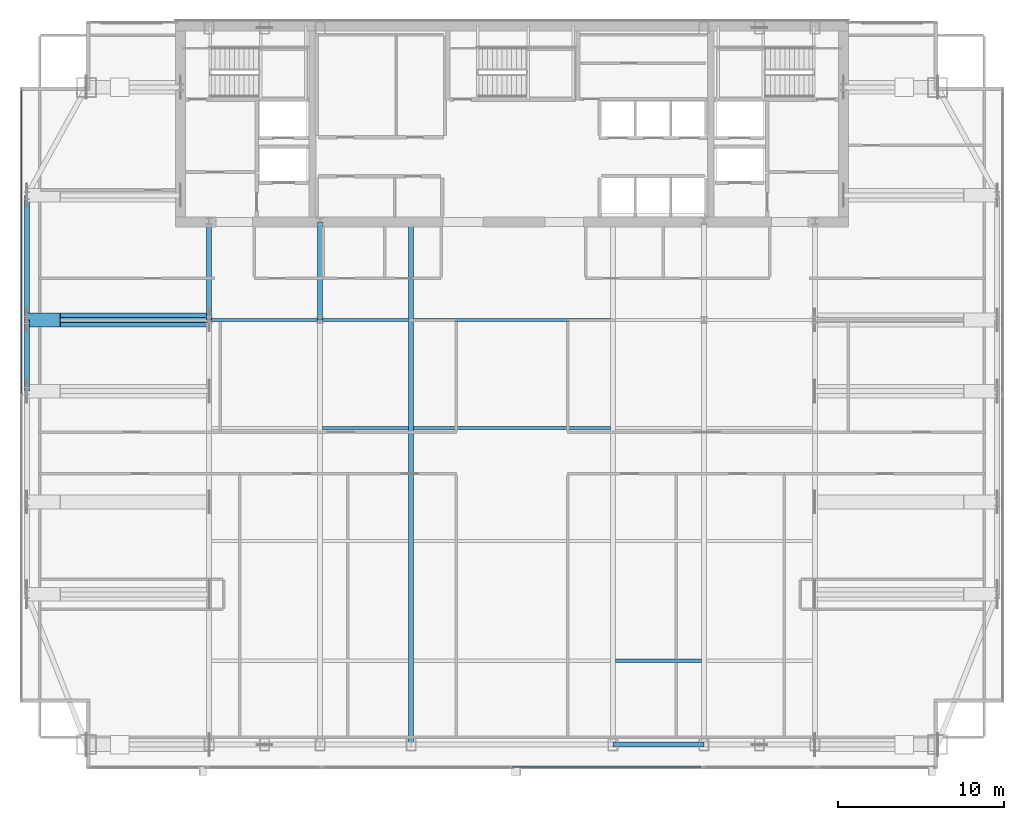
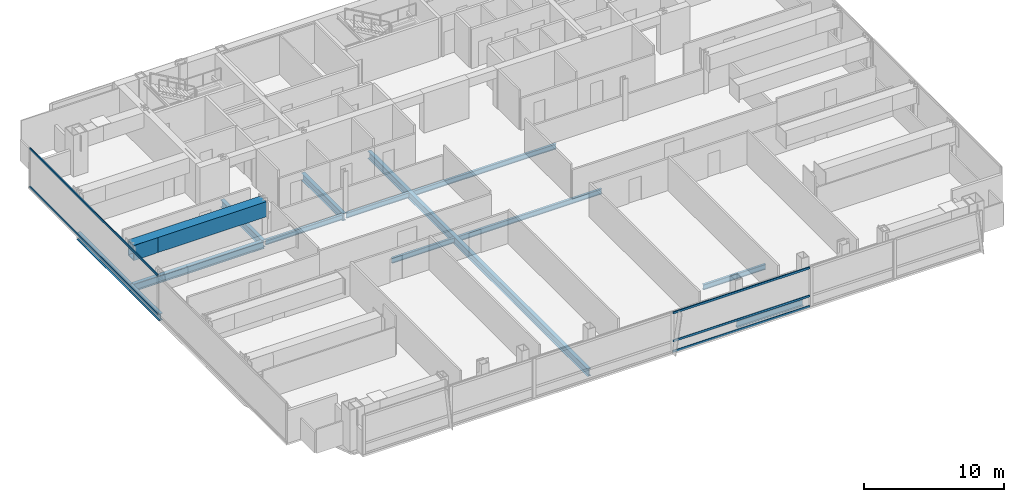
# One storey, part 10 of 26: 15 beams, 5 members, 2 elements without a shape of their own.
"""IFC4 building model written with IfcOpenShell, lengths in metres."""

from ifc_helpers import new_model, si_unit, direction, frame, origin, origin_2d, place, context, subcontext, project, spatial, hollow_rectangle, i_section, extrude, material, material_profile, profile_set, type_object, element, aggregate, save


model = new_model("IFC4")

# Units and contexts
model_context = context("Model", 3, precision=1e-05, world=origin(), true_north=direction((0.0, 1.0)))
body_context = subcontext(model_context, "Body", "Model", "MODEL_VIEW")
ifc_project = project(units=[si_unit("LENGTHUNIT", "METRE"), si_unit("AREAUNIT", "SQUARE_METRE"), si_unit("VOLUMEUNIT", "CUBIC_METRE"), si_unit("PLANEANGLEUNIT", "RADIAN"), si_unit("MASSUNIT", "GRAM", prefix="KILO")], contexts=[model_context])

# Site, building, storey
site_placement = place(None, origin())
site = spatial("IfcSite", under=ifc_project, at=site_placement, CompositionType="ELEMENT")
building_placement = place(site_placement, origin())
building = spatial("IfcBuilding", under=site, at=building_placement, Name="Khoronbel Lancet Exchange", CompositionType="ELEMENT")
storey_placement = place(building_placement, frame((0.0, 0.0, 235.39990234375)))
storey = spatial("IfcBuildingStorey", under=building, at=storey_placement, Name="L60", CompositionType="ELEMENT", Elevation=235.39990234375)

# Beams
ifc_material_1 = material(Name="Steel S355", Category="steel")
ifc_material_profile_1 = material_profile(ifc_material_1, i_section(OverallWidth=0.300048828125, OverallDepth=0.64990234375, WebThickness=0.01611328125, FlangeThickness=0.031005859375, at=origin_2d()), Name="HEB 650")
ifc_profile_set_1 = profile_set([ifc_material_profile_1], Name="Steel S355")
beam_type_1 = type_object("IfcBeamType", Name="BM-BG4", PredefinedType="BEAM", material=ifc_profile_set_1)
for number, where, z_axis, x_axis, name in (
    (1, (18.22509765625, 35.699951171875, -0.48486328125), (0.0, 1.0, 0.0), (-1.0, 0.0, 0.0), "Level L60 spine tie girder GN1"),
    (2, (24.89990234375, 35.699951171875, -0.48486328125), (0.0, 1.0, 0.0), (-1.0, 0.0, 0.0), "Level L60 spine tie girder GN2"),
):
    element("IfcBeam", number, at=place(storey_placement, frame(where, z_axis=z_axis, x_axis=x_axis)), inside=storey, type_object=beam_type_1, Name=name, PredefinedType="BEAM", context=body_context, shape_type="SweptSolid", body=[
        extrude(i_section(OverallWidth=0.300048828125, OverallDepth=0.64990234375, WebThickness=0.01611328125, FlangeThickness=0.031005859375, at=origin_2d()), origin(), (0.0, 0.0, 1.0), 5.900146484375),
    ])
beam_1_placement = place(storey_placement, frame((30.375, 10.14990234375, -0.48486328125), z_axis=(0.0, 1.0, 0.0), x_axis=(-1.0, 0.0, 0.0)))
element("IfcBeam", 3, at=beam_1_placement, inside=storey, type_object=beam_type_1, Name="Level L60 primary floor girder G3", PredefinedType="BEAM", context=body_context, shape_type="SweptSolid", body=[
    extrude(i_section(OverallWidth=0.300048828125, OverallDepth=0.64990234375, WebThickness=0.01611328125, FlangeThickness=0.031005859375, at=origin_2d()), origin(), (0.0, 0.0, 1.0), 31.4501953125),
])
beam_2_placement = place(storey_placement, frame((7.27001953125, 35.699951171875, -0.48486328125), z_axis=(1.0, 0.0, 0.0), x_axis=(0.0, 1.0, 0.0)))
element("IfcBeam", 4, at=beam_2_placement, inside=storey, type_object=beam_type_1, Name="Level L60 west lens tie girder LG4W", PredefinedType="BEAM", context=body_context, shape_type="SweptSolid", body=[
    extrude(i_section(OverallWidth=0.300048828125, OverallDepth=0.64990234375, WebThickness=0.01611328125, FlangeThickness=0.031005859375, at=origin_2d()), origin(), (0.0, 0.0, 1.0), 10.955078125),
])
ifc_material_profile_2 = material_profile(ifc_material_1, i_section(OverallWidth=0.18994140625, OverallDepth=0.449951171875, WebThickness=0.009521484375, FlangeThickness=0.0146484375, at=origin_2d()), Name="IPE 450")
ifc_profile_set_2 = profile_set([ifc_material_profile_2], Name="Steel S355")
beam_type_2 = type_object("IfcBeamType", Name="BM-BJ4", PredefinedType="JOIST", material=ifc_profile_set_2)
for number, where, z_axis, x_axis, name in (
    (5, (42.675048828125, 15.199951171875, -0.385009765625), (1.0, 0.0, 0.0), (0.0, 1.0, 0.0), "Level L60 secondary composite joist J04"),
    (6, (25.050048828125, 29.199951171875, -0.385009765625), (1.0, 0.0, 0.0), (0.0, 1.0, 0.0), "Level L60 secondary composite joist J12"),
):
    element("IfcBeam", number, at=place(storey_placement, frame(where, z_axis=z_axis, x_axis=x_axis)), inside=storey, type_object=beam_type_2, Name=name, PredefinedType="JOIST", context=body_context, shape_type="SweptSolid", body=[
        extrude(i_section(OverallWidth=0.18994140625, OverallDepth=0.449951171875, WebThickness=0.009521484375, FlangeThickness=0.0146484375, at=origin_2d()), origin(), (0.0, 0.0, 1.0), 5.175048828125),
    ])
beam_3_placement = place(storey_placement, frame((30.52490234375, 29.199951171875, -0.385009765625), z_axis=(1.0, 0.0, 0.0), x_axis=(0.0, 1.0, 0.0)))
element("IfcBeam", 7, at=beam_3_placement, inside=storey, type_object=beam_type_2, Name="Level L60 secondary composite joist J13", PredefinedType="JOIST", context=body_context, shape_type="SweptSolid", body=[
    extrude(i_section(OverallWidth=0.18994140625, OverallDepth=0.449951171875, WebThickness=0.009521484375, FlangeThickness=0.0146484375, at=origin_2d()), origin(), (0.0, 0.0, 1.0), 11.85009765625),
])
beam_4_placement = place(storey_placement, frame((18.375, 35.699951171875, -0.385009765625), z_axis=(1.0, 0.0, 0.0), x_axis=(0.0, 1.0, 0.0)))
element("IfcBeam", 8, at=beam_4_placement, inside=storey, type_object=beam_type_2, Name="Level L60 secondary composite joist J16", PredefinedType="JOIST", context=body_context, shape_type="SweptSolid", body=[
    extrude(i_section(OverallWidth=0.18994140625, OverallDepth=0.449951171875, WebThickness=0.009521484375, FlangeThickness=0.0146484375, at=origin_2d()), origin(), (0.0, 0.0, 1.0), 6.375),
])
beam_5_placement = place(storey_placement, frame((25.050048828125, 35.699951171875, -0.385009765625), z_axis=(1.0, 0.0, 0.0), x_axis=(0.0, 1.0, 0.0)))
element("IfcBeam", 9, at=beam_5_placement, inside=storey, type_object=beam_type_2, Name="Level L60 secondary composite joist J17", PredefinedType="JOIST", context=body_context, shape_type="SweptSolid", body=[
    extrude(i_section(OverallWidth=0.18994140625, OverallDepth=0.449951171875, WebThickness=0.009521484375, FlangeThickness=0.0146484375, at=origin_2d()), origin(), (0.0, 0.0, 1.0), 5.175048828125),
])
beam_6_placement = place(storey_placement, frame((30.52490234375, 35.699951171875, -0.385009765625), z_axis=(1.0, 0.0, 0.0), x_axis=(0.0, 1.0, 0.0)))
element("IfcBeam", 10, at=beam_6_placement, inside=storey, type_object=beam_type_2, Name="Level L60 secondary composite joist J18", PredefinedType="JOIST", context=body_context, shape_type="SweptSolid", body=[
    extrude(i_section(OverallWidth=0.18994140625, OverallDepth=0.449951171875, WebThickness=0.009521484375, FlangeThickness=0.0146484375, at=origin_2d()), origin(), (0.0, 0.0, 1.0), 11.85009765625),
])
ifc_material_profile_3 = material_profile(ifc_material_1, i_section(OverallWidth=0.300048828125, OverallDepth=0.60009765625, WebThickness=0.015380859375, FlangeThickness=0.030029296875, at=origin_2d()), Name="HEB 600")
ifc_profile_set_3 = profile_set([ifc_material_profile_3], Name="Steel S355")
beam_type_3 = type_object("IfcBeamType", Name="BM-BSP2", PredefinedType="SPANDREL", material=ifc_profile_set_3)
beam_7_placement = place(storey_placement, frame((42.52490234375, 10.14990234375, -0.4599609375), z_axis=(1.0, 0.0, 0.0), x_axis=(0.0, 1.0, 0.0)))
element("IfcBeam", 11, at=beam_7_placement, inside=storey, type_object=beam_type_3, Name="Level L60 perimeter spandrel beam SP06", PredefinedType="SPANDREL", context=body_context, shape_type="SweptSolid", body=[
    extrude(i_section(OverallWidth=0.300048828125, OverallDepth=0.60009765625, WebThickness=0.015380859375, FlangeThickness=0.030029296875, at=origin_2d()), origin(), (0.0, 0.0, 1.0), 5.47509765625),
])
beam_8_placement = place(storey_placement, frame((7.27001953125, 43.199951171875, -0.4599609375), z_axis=(0.0, -1.0, 0.0), x_axis=(1.0, 0.0, 0.0)))
element("IfcBeam", 12, at=beam_8_placement, inside=storey, type_object=beam_type_3, Name="Level L60 perimeter spandrel beam SP17", PredefinedType="SPANDREL", context=body_context, shape_type="SweptSolid", body=[
    extrude(i_section(OverallWidth=0.300048828125, OverallDepth=0.60009765625, WebThickness=0.015380859375, FlangeThickness=0.030029296875, at=origin_2d()), origin(), (0.0, 0.0, 1.0), 7.5),
])
beam_9_placement = place(storey_placement, frame((7.27001953125, 35.699951171875, -0.4599609375), z_axis=(0.0, -1.0, 0.0), x_axis=(1.0, 0.0, 0.0)))
element("IfcBeam", 13, at=beam_9_placement, inside=storey, type_object=beam_type_3, Name="Level L60 perimeter spandrel beam SP18", PredefinedType="SPANDREL", context=body_context, shape_type="SweptSolid", body=[
    extrude(i_section(OverallWidth=0.300048828125, OverallDepth=0.60009765625, WebThickness=0.015380859375, FlangeThickness=0.030029296875, at=origin_2d()), origin(), (0.0, 0.0, 1.0), 4.27490234375),
])
ifc_material_2 = material(Name="Steel S460", Category="steel")
ifc_material_profile_4 = material_profile(ifc_material_2, hollow_rectangle(XDim=0.820068359375, YDim=1.320068359375, WallThickness=0.070068359375, at=origin_2d()), Name="BOX 820x1320x70")
ifc_profile_set_4 = profile_set([ifc_material_profile_4], Name="Steel S460")
beam_type_4 = type_object("IfcBeamType", Name="BM-TG4", PredefinedType="USERDEFINED", material=ifc_profile_set_4)
beam_10_placement = place(storey_placement, frame((7.27001953125, 35.699951171875, 2.760009765625), z_axis=(0.99994990606, 0.0, 0.010009264196), x_axis=(0.0, 1.0, 0.0)))
element("IfcBeam", 14, at=beam_10_placement, inside=storey, type_object=beam_type_4, Name="Setback transfer knee-brace girder L60-WC-3", ObjectType="TRANSFER GIRDER", PredefinedType="USERDEFINED", context=body_context, shape_type="SweptSolid", body=[
    extrude(hollow_rectangle(XDim=0.820068359375, YDim=1.320068359375, WallThickness=0.070068359375, at=origin_2d()), origin(), (0.0, 0.0, 1.0), 2.0),
])
beam_11_placement = place(storey_placement, frame((7.27001953125, 35.699951171875, 2.780029296875), z_axis=(1.0, 0.0, 0.0), x_axis=(0.0, 1.0, 0.0)))
element("IfcBeam", 15, at=beam_11_placement, inside=storey, type_object=beam_type_4, Name="Lens setback S460 transfer girder L60-W4", ObjectType="TRANSFER GIRDER", PredefinedType="USERDEFINED", context=body_context, shape_type="SweptSolid", body=[
    extrude(hollow_rectangle(XDim=0.820068359375, YDim=1.320068359375, WallThickness=0.070068359375, at=origin_2d()), origin(), (0.0, 0.0, 1.0), 10.955078125),
])

# Curtain wall, members
ifc_material_3 = material(Name="Low-E Solar Control Insulating Glass", Category="glass")
curtain_wall_type_1 = type_object("IfcCurtainWallType", Name="CW-4", PredefinedType="NOTDEFINED", material=ifc_material_3)
curtain_wall_1_placement = place(storey_placement, origin())
curtain_wall_1 = element("IfcCurtainWall", 16, at=curtain_wall_1_placement, inside=storey, type_object=curtain_wall_type_1, Name="Unitised curtain wall CW-L60-E03", PredefinedType="NOTDEFINED")
ifc_material_4 = material(Name="Bronze-Anodised Aluminium 6063-T6", Category="aluminium")
ifc_material_profile_5 = material_profile(ifc_material_4, hollow_rectangle(XDim=0.0849609375, YDim=0.179931640625, WallThickness=0.0048828125, at=origin_2d()), Name="ALU TRANSOM 85x180")
ifc_profile_set_5 = profile_set([ifc_material_profile_5], Name="Bronze-Anodised Aluminium 6063-T6")
member_type = type_object("IfcMemberType", Name="MEM-CWT1", PredefinedType="USERDEFINED", material=ifc_profile_set_5)
member_1_placement = place(storey_placement, frame((6.93994140625, 31.237548828125, 0.04248046875), z_axis=(0.0, 1.0, 0.0), x_axis=(-1.0, 0.0, 0.0)))
member_1 = element("IfcMember", 17, at=member_1_placement, type_object=member_type, Name="CW4 transom 2.1", ObjectType="TRANSOM", PredefinedType="USERDEFINED", context=body_context, shape_type="SweptSolid", body=[
    extrude(hollow_rectangle(XDim=0.0849609375, YDim=0.179931640625, WallThickness=0.0048828125, at=origin_2d()), origin(), (0.0, 0.0, 1.0), 18.29736328125),
])
member_2_placement = place(storey_placement, frame((6.93994140625, 31.237548828125, 3.397705078125), z_axis=(0.0, 1.0, 0.0), x_axis=(-1.0, 0.0, 0.0)))
member_2 = element("IfcMember", 18, at=member_2_placement, type_object=member_type, Name="CW4 transom 2.2", ObjectType="TRANSOM", PredefinedType="USERDEFINED", context=body_context, shape_type="SweptSolid", body=[
    extrude(hollow_rectangle(XDim=0.0849609375, YDim=0.179931640625, WallThickness=0.0048828125, at=origin_2d()), origin(), (0.0, 0.0, 1.0), 18.29736328125),
])
aggregate(curtain_wall_1, [member_1, member_2])

curtain_wall_type_2 = type_object("IfcCurtainWallType", Name="CW-3", PredefinedType="NOTDEFINED", material=ifc_material_3)
curtain_wall_2_placement = place(storey_placement, origin())
curtain_wall_2 = element("IfcCurtainWall", 19, at=curtain_wall_2_placement, inside=storey, type_object=curtain_wall_type_2, Name="Unitised curtain wall CW-L60-SCV", PredefinedType="NOTDEFINED")
member_3_placement = place(storey_placement, frame((36.492431640625, 8.7900390625, 0.04248046875), z_axis=(1.0, 0.0, 0.0), x_axis=(0.0, 1.0, 0.0)))
member_3 = element("IfcMember", 20, at=member_3_placement, type_object=member_type, Name="CW3 transom 2.1", ObjectType="TRANSOM", PredefinedType="USERDEFINED", context=body_context, shape_type="SweptSolid", body=[
    extrude(hollow_rectangle(XDim=0.0849609375, YDim=0.179931640625, WallThickness=0.0048828125, at=origin_2d()), origin(), (0.0, 0.0, 1.0), 11.322509765625),
])
member_4_placement = place(storey_placement, frame((36.492431640625, 8.7900390625, 0.9501953125), z_axis=(1.0, 0.0, 0.0), x_axis=(0.0, 1.0, 0.0)))
member_4 = element("IfcMember", 21, at=member_4_placement, type_object=member_type, Name="CW3 transom 2.2", ObjectType="TRANSOM", PredefinedType="USERDEFINED", context=body_context, shape_type="SweptSolid", body=[
    extrude(hollow_rectangle(XDim=0.0849609375, YDim=0.179931640625, WallThickness=0.0048828125, at=origin_2d()), origin(), (0.0, 0.0, 1.0), 11.322509765625),
])
member_5_placement = place(storey_placement, frame((36.492431640625, 8.7900390625, 3.397705078125), z_axis=(1.0, 0.0, 0.0), x_axis=(0.0, 1.0, 0.0)))
member_5 = element("IfcMember", 22, at=member_5_placement, type_object=member_type, Name="CW3 transom 2.3", ObjectType="TRANSOM", PredefinedType="USERDEFINED", context=body_context, shape_type="SweptSolid", body=[
    extrude(hollow_rectangle(XDim=0.0849609375, YDim=0.179931640625, WallThickness=0.0048828125, at=origin_2d()), origin(), (0.0, 0.0, 1.0), 11.322509765625),
])
aggregate(curtain_wall_2, [member_3, member_4, member_5])

save(model, "model.ifc")
